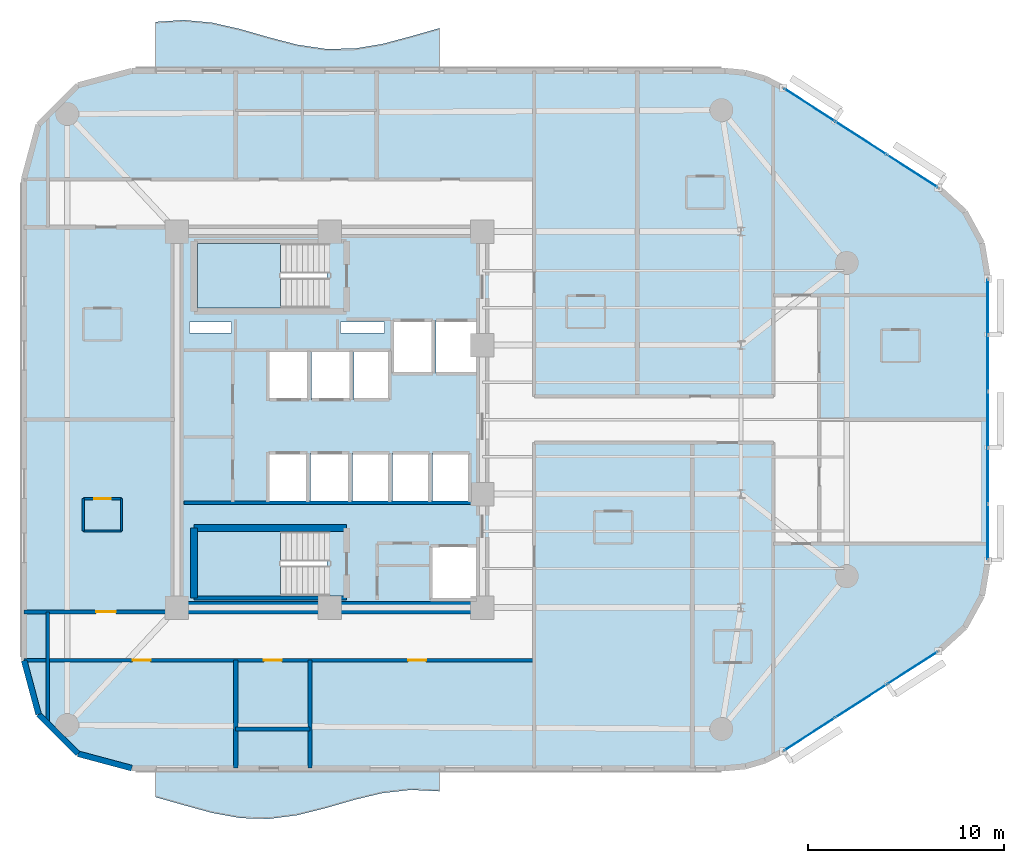
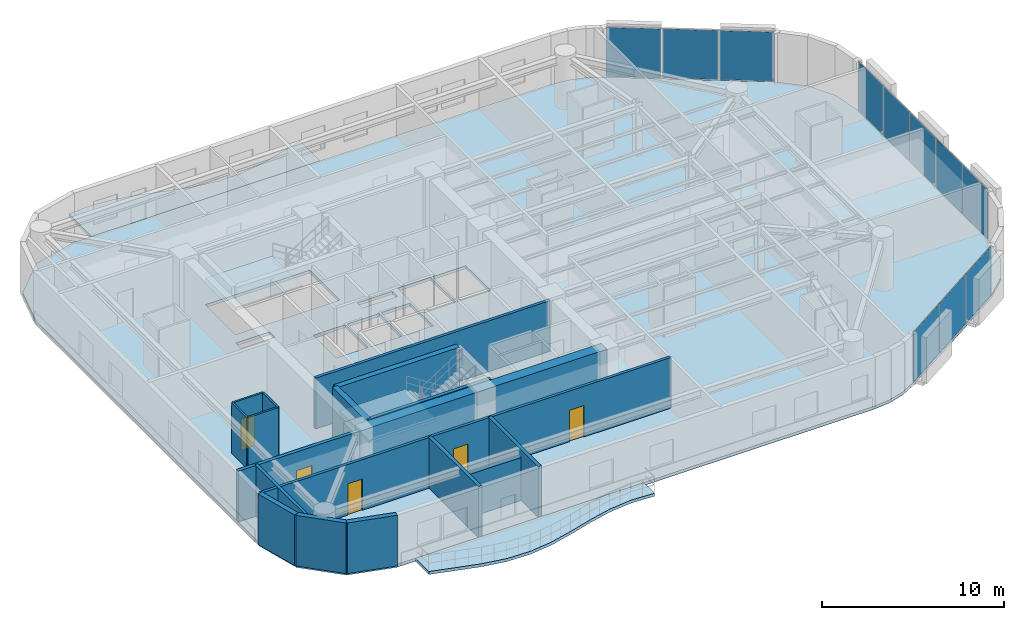
# One storey, part 9 of 15: 18 walls, 11 plates, 5 doors, 5 slabs, 5 openings, 5 elements without a shape of their own.
"""IFC4 building model written with IfcOpenShell, lengths in metres."""

from ifc_helpers import new_model, si_unit, direction, frame, frame_2d, origin, origin_2d, place, context, subcontext, project, spatial, polyline, rectangle, outline, extrude, material, layer, layer_set, type_object, element, fill, aggregate, save


model = new_model("IFC4")

# Units and contexts
model_context = context("Model", 3, precision=1e-05, world=origin(), true_north=direction((0.0, 1.0)))
body_context = subcontext(model_context, "Body", "Model", "MODEL_VIEW")
ifc_project = project(units=[si_unit("LENGTHUNIT", "METRE"), si_unit("AREAUNIT", "SQUARE_METRE"), si_unit("VOLUMEUNIT", "CUBIC_METRE"), si_unit("PLANEANGLEUNIT", "RADIAN"), si_unit("MASSUNIT", "GRAM", prefix="KILO")], contexts=[model_context])

# Site, building, storey
site_placement = place(None, origin())
site = spatial("IfcSite", under=ifc_project, at=site_placement, CompositionType="ELEMENT")
building_placement = place(site_placement, origin())
building = spatial("IfcBuilding", under=site, at=building_placement, Name="An Khanh Terracotta Commons", CompositionType="ELEMENT")
storey_placement = place(building_placement, frame((0.0, 0.0, 147.39990234375)))
storey = spatial("IfcBuildingStorey", under=building, at=storey_placement, Name="L38", CompositionType="ELEMENT", Elevation=147.39990234375)

# Curtain wall, plates
ifc_material_1 = material(Name="Anodised Aluminium 6063-T6", Category="aluminium")
ifc_layer_1 = layer(ifc_material_1, 0.2099609375, Name="Anodised Aluminium 6063-T6")
ifc_layer_set_1 = layer_set([ifc_layer_1], Name="Anodised Aluminium 6063-T6")
curtain_wall_type = type_object("IfcCurtainWallType", Name="CW-SYS-03", PredefinedType="USERDEFINED", material=ifc_layer_set_1)
curtain_wall_1_placement = place(storey_placement, origin())
curtain_wall_1 = element("IfcCurtainWall", 1, at=curtain_wall_1_placement, inside=storey, type_object=curtain_wall_type, Name="L38 CW-03 Unitised Curtain Wall CW-L38-08", ObjectType="UNITISED CURTAIN WALL", PredefinedType="USERDEFINED")
ifc_material_2 = material(Name="Acoustic Laminated Low-E Glazing", Category="glass")
ifc_layer_2 = layer(ifc_material_2, 0.035888671875, Name="Acoustic Laminated Low-E Glazing")
ifc_layer_set_2 = layer_set([ifc_layer_2], Name="Acoustic Laminated Low-E Glazing")
plate_type = type_object("IfcPlateType", Name="CWP-IGU-36", PredefinedType="CURTAIN_PANEL", material=ifc_layer_set_2)
plate_1_placement = place(storey_placement, frame((53.894287109375, 7.935546875, 0.05029296875), z_axis=(0.0, 0.0, 1.0), x_axis=(0.840702081986, 0.541497931062, 0.0)))
plate_1 = element("IfcPlate", 2, at=plate_1_placement, type_object=plate_type, Name="CW-03 panel 1.1", PredefinedType="CURTAIN_PANEL", context=body_context, shape_type="SweptSolid", body=[
    extrude(rectangle(XDim=3.034423828125, YDim=0.035888671875, at=origin_2d()), origin(), (0.0, 0.0, 1.0), 3.300048828125),
])
plate_2_placement = place(storey_placement, frame((56.51904296875, 9.6259765625, 0.05029296875), z_axis=(0.0, 0.0, 1.0), x_axis=(0.840702081986, 0.541497931062, 0.0)))
plate_2 = element("IfcPlate", 3, at=plate_2_placement, type_object=plate_type, Name="CW-03 panel 2.1", PredefinedType="CURTAIN_PANEL", context=body_context, shape_type="SweptSolid", body=[
    extrude(rectangle(XDim=3.0693359375, YDim=0.035888671875, at=origin_2d()), origin(), (0.0, 0.0, 1.0), 3.300048828125),
])
plate_3_placement = place(storey_placement, frame((59.1435546875, 11.31640625, 0.05029296875), z_axis=(0.0, 0.0, 1.0), x_axis=(0.840702081986, 0.541497931062, 0.0)))
plate_3 = element("IfcPlate", 4, at=plate_3_placement, type_object=plate_type, Name="CW-03 panel 3.1", PredefinedType="CURTAIN_PANEL", context=body_context, shape_type="SweptSolid", body=[
    extrude(rectangle(XDim=3.034423828125, YDim=0.035888671875, at=origin_2d()), origin(), (0.0, 0.0, 1.0), 3.300048828125),
])
aggregate(curtain_wall_1, [plate_1, plate_2, plate_3])

curtain_wall_2_placement = place(storey_placement, origin())
curtain_wall_2 = element("IfcCurtainWall", 5, at=curtain_wall_2_placement, inside=storey, type_object=curtain_wall_type, Name="L38 CW-03 Unitised Curtain Wall CW-L38-12", ObjectType="UNITISED CURTAIN WALL", PredefinedType="USERDEFINED")
plate_4_placement = place(storey_placement, frame((63.0, 18.257568359375, 0.05029296875), z_axis=(0.0, 0.0, 1.0), x_axis=(0.0, 1.0, 0.0)))
plate_4 = element("IfcPlate", 6, at=plate_4_placement, type_object=plate_type, Name="CW-03 panel 1.1", PredefinedType="CURTAIN_PANEL", context=body_context, shape_type="SweptSolid", body=[
    extrude(rectangle(XDim=2.77490234375, YDim=0.035888671875, at=origin_2d()), origin(), (0.0, 0.0, 1.0), 3.300048828125),
])
plate_5_placement = place(storey_placement, frame((63.0, 21.1201171875, 0.05029296875), z_axis=(0.0, 0.0, 1.0), x_axis=(0.0, 1.0, 0.0)))
plate_5 = element("IfcPlate", 7, at=plate_5_placement, type_object=plate_type, Name="CW-03 panel 2.1", PredefinedType="CURTAIN_PANEL", context=body_context, shape_type="SweptSolid", body=[
    extrude(rectangle(XDim=2.81005859375, YDim=0.035888671875, at=origin_2d()), origin(), (0.0, 0.0, 1.0), 3.300048828125),
])
plate_6_placement = place(storey_placement, frame((63.0, 24.0, 0.05029296875), z_axis=(0.0, 0.0, 1.0), x_axis=(0.0, 1.0, 0.0)))
plate_6 = element("IfcPlate", 8, at=plate_6_placement, type_object=plate_type, Name="CW-03 panel 3.1", PredefinedType="CURTAIN_PANEL", context=body_context, shape_type="SweptSolid", body=[
    extrude(rectangle(XDim=2.81005859375, YDim=0.035888671875, at=origin_2d()), origin(), (0.0, 0.0, 1.0), 3.300048828125),
])
plate_7_placement = place(storey_placement, frame((63.0, 26.8798828125, 0.05029296875), z_axis=(0.0, 0.0, 1.0), x_axis=(0.0, 1.0, 0.0)))
plate_7 = element("IfcPlate", 9, at=plate_7_placement, type_object=plate_type, Name="CW-03 panel 4.1", PredefinedType="CURTAIN_PANEL", context=body_context, shape_type="SweptSolid", body=[
    extrude(rectangle(XDim=2.81005859375, YDim=0.035888671875, at=origin_2d()), origin(), (0.0, 0.0, 1.0), 3.300048828125),
])
plate_8_placement = place(storey_placement, frame((63.0, 29.742431640625, 0.05029296875), z_axis=(0.0, 0.0, 1.0), x_axis=(0.0, 1.0, 0.0)))
plate_8 = element("IfcPlate", 10, at=plate_8_placement, type_object=plate_type, Name="CW-03 panel 5.1", PredefinedType="CURTAIN_PANEL", context=body_context, shape_type="SweptSolid", body=[
    extrude(rectangle(XDim=2.77490234375, YDim=0.035888671875, at=origin_2d()), origin(), (0.0, 0.0, 1.0), 3.300048828125),
])
aggregate(curtain_wall_2, [plate_4, plate_5, plate_6, plate_7, plate_8])

curtain_wall_3_placement = place(storey_placement, origin())
curtain_wall_3 = element("IfcCurtainWall", 11, at=curtain_wall_3_placement, inside=storey, type_object=curtain_wall_type, Name="L38 CW-03 Unitised Curtain Wall CW-L38-16", ObjectType="UNITISED CURTAIN WALL", PredefinedType="USERDEFINED")
plate_9_placement = place(storey_placement, frame((59.1435546875, 36.68359375, 0.05029296875), z_axis=(0.0, 0.0, 1.0), x_axis=(-0.840702081986, 0.541497931062, 0.0)))
plate_9 = element("IfcPlate", 12, at=plate_9_placement, type_object=plate_type, Name="CW-03 panel 1.1", PredefinedType="CURTAIN_PANEL", context=body_context, shape_type="SweptSolid", body=[
    extrude(rectangle(XDim=3.034423828125, YDim=0.035888671875, at=origin_2d()), origin(), (0.0, 0.0, 1.0), 3.300048828125),
])
plate_10_placement = place(storey_placement, frame((56.51904296875, 38.3740234375, 0.05029296875), z_axis=(0.0, 0.0, 1.0), x_axis=(-0.840702081986, 0.541497931062, 0.0)))
plate_10 = element("IfcPlate", 13, at=plate_10_placement, type_object=plate_type, Name="CW-03 panel 2.1", PredefinedType="CURTAIN_PANEL", context=body_context, shape_type="SweptSolid", body=[
    extrude(rectangle(XDim=3.0693359375, YDim=0.035888671875, at=origin_2d()), origin(), (0.0, 0.0, 1.0), 3.300048828125),
])
plate_11_placement = place(storey_placement, frame((53.894287109375, 40.064453125, 0.05029296875), z_axis=(0.0, 0.0, 1.0), x_axis=(-0.840702081986, 0.541497931062, 0.0)))
plate_11 = element("IfcPlate", 14, at=plate_11_placement, type_object=plate_type, Name="CW-03 panel 3.1", PredefinedType="CURTAIN_PANEL", context=body_context, shape_type="SweptSolid", body=[
    extrude(rectangle(XDim=3.034423828125, YDim=0.035888671875, at=origin_2d()), origin(), (0.0, 0.0, 1.0), 3.300048828125),
])
aggregate(curtain_wall_3, [plate_9, plate_10, plate_11])

# Slabs
ifc_material_3 = material(Name="Concrete C40/50", Category="concrete")
ifc_layer_3 = layer(ifc_material_3, 0.199951171875, Name="Concrete C40/50")
ifc_layer_set_3 = layer_set([ifc_layer_3], Name="Concrete C40/50")
slab_type_1 = type_object("IfcSlabType", Name="SLAB-BALC-200", PredefinedType="FLOOR", material=ifc_layer_set_3)
slab_1_placement = place(storey_placement, frame((0.0, 0.0, -0.199951171875)))
element("IfcSlab", 15, at=slab_1_placement, inside=storey, type_object=slab_type_1, Name="L38 S Sinusoidal Wave Balcony Slab", PredefinedType="FLOOR", context=body_context, shape_type="SweptSolid", body=[
    extrude(outline(polyline([(20.5, 6.199951171875), (20.5, 4.72509765625), (21.949951171875, 4.31591796875), (23.39990234375, 3.9169921875), (24.85009765625, 3.655029296875), (26.300048828125, 3.613037109375), (27.75, 3.802978515625), (29.199951171875, 4.1650390625), (30.64990234375, 4.5859375), (32.10009765625, 4.93310546875), (33.550048828125, 5.094970703125), (35.0, 5.02294921875), (35.0, 6.199951171875), (20.5, 6.199951171875)])), origin(), (0.0, 0.0, 1.0), 0.199951171875),
])
slab_2_placement = place(storey_placement, frame((0.0, 0.0, -0.199951171875)))
element("IfcSlab", 16, at=slab_2_placement, inside=storey, type_object=slab_type_1, Name="L38 N Sinusoidal Wave Balcony Slab", PredefinedType="FLOOR", context=body_context, shape_type="SweptSolid", body=[
    extrude(outline(polyline([(35.0, 41.800048828125), (35.0, 43.98193359375), (33.550048828125, 43.56689453125), (32.10009765625, 43.177978515625), (30.64990234375, 42.93798828125), (29.199951171875, 42.923095703125), (27.75, 43.136962890625), (26.300048828125, 43.512939453125), (24.85009765625, 43.931884765625), (23.39990234375, 44.261962890625), (21.949951171875, 44.39892578125), (20.5, 44.300048828125), (20.5, 41.800048828125), (35.0, 41.800048828125)])), origin(), (0.0, 0.0, 1.0), 0.199951171875),
])

# Stair, slab
ifc_material_4 = material(Name="Precast concrete C40/50", Category="concrete")
stair_type = type_object("IfcStairType", Name="STAIR-CORE-1550", PredefinedType="HALF_TURN_STAIR", material=ifc_material_4)
stair_1_placement = place(storey_placement, origin())
stair_1 = element("IfcStair", 17, at=stair_1_placement, inside=storey, type_object=stair_type, Name="L38 Core Smokeproof Exit Stair ST-01", PredefinedType="HALF_TURN_STAIR")
ifc_layer_4 = layer(ifc_material_3, 0.18994140625, Name="Concrete C40/50")
ifc_layer_set_4 = layer_set([ifc_layer_4], Name="Concrete C40/50")
slab_type_2 = type_object("IfcSlabType", Name="SLAB-LANDING-190", PredefinedType="LANDING", material=ifc_layer_set_4)
slab_3_placement = place(storey_placement, frame((0.0, 0.0, 1.60009765625)))
slab_3 = element("IfcSlab", 18, at=slab_3_placement, type_object=slab_type_2, Name="ST-01 landing 1", PredefinedType="LANDING", context=body_context, shape_type="SweptSolid", body=[
    extrude(outline(polyline([(26.889892578125, 33.0), (22.64990234375, 33.0), (22.64990234375, 29.699951171875), (26.889892578125, 29.699951171875), (26.889892578125, 33.0)])), origin(), (0.0, 0.0, 1.0), 0.199951171875),
])
aggregate(stair_1, [slab_3])

stair_2_placement = place(storey_placement, origin())
stair_2 = element("IfcStair", 19, at=stair_2_placement, inside=storey, type_object=stair_type, Name="L38 Core Smokeproof Exit Stair ST-02", PredefinedType="HALF_TURN_STAIR")
slab_4_placement = place(storey_placement, frame((0.0, 0.0, 1.60009765625)))
slab_4 = element("IfcSlab", 20, at=slab_4_placement, type_object=slab_type_2, Name="ST-02 landing 1", PredefinedType="LANDING", context=body_context, shape_type="SweptSolid", body=[
    extrude(outline(polyline([(26.889892578125, 18.300048828125), (22.64990234375, 18.300048828125), (22.64990234375, 15.0), (26.889892578125, 15.0), (26.889892578125, 18.300048828125)])), origin(), (0.0, 0.0, 1.0), 0.199951171875),
])
aggregate(stair_2, [slab_4])

# Slab
ifc_layer_5 = layer(ifc_material_3, 0.199951171875, Name="Concrete C40/50")
ifc_layer_set_5 = layer_set([ifc_layer_5], Name="Concrete C40/50")
slab_type_3 = type_object("IfcSlabType", Name="SLAB-TYP-200", PredefinedType="FLOOR", material=ifc_layer_set_5)
slab_5_placement = place(storey_placement, frame((0.0, 0.0, -0.199951171875)))
element("IfcSlab", 21, at=slab_5_placement, inside=storey, type_object=slab_type_3, Name="L38 Structural Floor Slab", PredefinedType="FLOOR", context=body_context, shape_type="SweptSolid", body=[
    extrude(outline(polyline([(13.800048828125, 11.699951171875), (14.537109375, 8.949951171875), (16.550048828125, 6.93701171875), (19.300048828125, 6.199951171875), (49.58203125, 6.199951171875), (50.625, 6.300048828125), (51.6298828125, 6.594970703125), (52.56005859375, 7.075927734375), (60.47802734375, 12.176025390625), (61.825927734375, 13.403076171875), (62.697998046875, 15.0029296875), (63.0, 16.800048828125), (63.0, 31.199951171875), (62.697998046875, 32.9970703125), (61.825927734375, 34.596923828125), (60.47802734375, 35.823974609375), (52.56005859375, 40.924072265625), (51.6298828125, 41.405029296875), (50.625, 41.699951171875), (49.58203125, 41.800048828125), (19.300048828125, 41.800048828125), (16.550048828125, 41.06298828125), (14.537109375, 39.050048828125), (13.800048828125, 36.300048828125), (13.800048828125, 11.699951171875)]), holes=[polyline([(22.64990234375, 29.699951171875), (29.27001953125, 29.699951171875), (29.27001953125, 33.0), (22.64990234375, 33.0), (22.64990234375, 29.699951171875)]), polyline([(22.64990234375, 15.0), (29.27001953125, 15.0), (29.27001953125, 18.300048828125), (22.64990234375, 18.300048828125), (22.64990234375, 15.0)]), polyline([(32.60009765625, 26.35009765625), (34.679931640625, 26.35009765625), (34.679931640625, 29.080078125), (32.60009765625, 29.080078125), (32.60009765625, 26.35009765625)]), polyline([(34.820068359375, 26.35009765625), (36.89990234375, 26.35009765625), (36.89990234375, 29.080078125), (34.820068359375, 29.080078125), (34.820068359375, 26.35009765625)]), polyline([(34.550048828125, 14.800048828125), (36.89990234375, 14.800048828125), (36.89990234375, 17.550048828125), (34.550048828125, 17.550048828125), (34.550048828125, 14.800048828125)]), polyline([(26.320068359375, 25.0), (28.340087890625, 25.0), (28.340087890625, 27.5), (26.320068359375, 27.5), (26.320068359375, 25.0)]), polyline([(28.47998046875, 25.0), (30.5, 25.0), (30.5, 27.5), (28.47998046875, 27.5), (28.47998046875, 25.0)]), polyline([(26.280029296875, 19.800048828125), (28.280029296875, 19.800048828125), (28.280029296875, 22.300048828125), (26.280029296875, 22.300048828125), (26.280029296875, 19.800048828125)]), polyline([(28.419921875, 19.800048828125), (30.419921875, 19.800048828125), (30.419921875, 22.300048828125), (28.419921875, 22.300048828125), (28.419921875, 19.800048828125)]), polyline([(30.639892578125, 25.0), (32.4599609375, 25.0), (32.4599609375, 27.5), (30.639892578125, 27.5), (30.639892578125, 25.0)]), polyline([(30.56005859375, 19.800048828125), (32.4599609375, 19.800048828125), (32.4599609375, 22.300048828125), (30.56005859375, 22.300048828125), (30.56005859375, 19.800048828125)]), polyline([(32.60009765625, 19.800048828125), (34.5, 19.800048828125), (34.5, 22.300048828125), (32.60009765625, 22.300048828125), (32.60009765625, 19.800048828125)]), polyline([(34.639892578125, 19.800048828125), (36.5400390625, 19.800048828125), (36.5400390625, 22.300048828125), (34.639892578125, 22.300048828125), (34.639892578125, 19.800048828125)]), polyline([(22.25, 28.419921875), (24.39990234375, 28.419921875), (24.39990234375, 28.97998046875), (22.25, 28.97998046875), (22.25, 28.419921875)]), polyline([(29.949951171875, 28.419921875), (32.199951171875, 28.419921875), (32.199951171875, 28.97998046875), (29.949951171875, 28.97998046875), (29.949951171875, 28.419921875)])]), origin(), (0.0, 0.0, 1.0), 0.199951171875),
])

# Walls
ifc_material_5 = material(Name="Concrete C60/75", Category="concrete")
ifc_layer_6 = layer(ifc_material_5, 0.64990234375, Name="Concrete C60/75")
ifc_layer_set_6 = layer_set([ifc_layer_6], Name="Concrete C60/75")
wall_type_1 = type_object("IfcWallType", Name="WALL-CORE-650", PredefinedType="SHEAR", material=ifc_layer_set_6)
wall_1_placement = place(storey_placement, frame((37.199951171875, 14.39990234375, 0.0), z_axis=(0.0, 0.0, 1.0), x_axis=(-1.0, 0.0, 0.0)))
element("IfcWall", 22, at=wall_1_placement, inside=storey, type_object=wall_type_1, Name="L38 Core Wall CWALL-L38-S", PredefinedType="SHEAR", context=body_context, shape_type="SweptSolid", body=[
    extrude(rectangle(XDim=15.599853515625, YDim=0.64990234375, at=frame_2d((7.7998046875, 0.0))), origin(), (0.0, 0.0, 1.0), 3.400146484375),
])
ifc_material_6 = material(Name="Fire-Rated Gypsum Board on Steel Stud", Category="steel")
ifc_layer_7 = layer(ifc_material_6, 0.179931640625, Name="Fire-Rated Gypsum Board on Steel Stud")
ifc_layer_set_7 = layer_set([ifc_layer_7], Name="Fire-Rated Gypsum Board on Steel Stud")
wall_type_2 = type_object("IfcWallType", Name="WALL-CORR-180", PredefinedType="PARTITIONING", material=ifc_layer_set_7)
wall_2_placement = place(storey_placement, frame((21.949951171875, 19.760009765625, 0.0), z_axis=(0.0, 0.0, 1.0), x_axis=(1.0, 0.0, 0.0)))
element("IfcWall", 23, at=wall_2_placement, inside=storey, type_object=wall_type_2, Name="L38 Core Wall SVW-L38-N", PredefinedType="PARTITIONING", context=body_context, shape_type="SweptSolid", body=[
    extrude(rectangle(XDim=14.8701171875, YDim=0.179931640625, at=frame_2d((7.43505859375, 0.0))), origin(), (0.0, 0.0, 1.0), 3.400146484375),
])

# Wall, openings, doors
wall_3_placement = place(storey_placement, frame((13.800048828125, 11.719970703125, 0.0), z_axis=(0.0, 0.0, 1.0), x_axis=(1.0, 0.0, 0.0)))
wall_3 = element("IfcWall", 24, at=wall_3_placement, inside=storey, type_object=wall_type_2, Name="L38 Interior Partition IW-L38-E002", PredefinedType="PARTITIONING", context=body_context, shape_type="SweptSolid", body=[
    extrude(rectangle(XDim=26.050048828125, YDim=0.179931640625, at=frame_2d((13.02490234375, 0.0))), origin(), (0.0, 0.0, 1.0), 3.400146484375),
])
opening_1_placement = place(wall_3_placement, frame((12.239990234375, 0.0, 0.0)))
opening_1 = element("IfcOpeningElement", 25, at=opening_1_placement, cuts=wall_3, Name="Opening D-RM", PredefinedType="OPENING", context=body_context, shape_type="SweptSolid", body=[
    extrude(rectangle(XDim=0.919921875, YDim=2.10009765625, at=frame_2d((0.4599609375, 1.050048828125))), frame((0.0, 0.099853515625, 0.0), z_axis=(0.0, -1.0, 0.0), x_axis=(1.0, 0.0, 0.0)), (0.0, 0.0, 1.0), 0.199951171875),
])
opening_2_placement = place(wall_3_placement, frame((5.5400390625, 0.0, 0.0)))
opening_2 = element("IfcOpeningElement", 26, at=opening_2_placement, cuts=wall_3, Name="Opening D-RM", PredefinedType="OPENING", context=body_context, shape_type="SweptSolid", body=[
    extrude(rectangle(XDim=0.919921875, YDim=2.10009765625, at=frame_2d((0.4599609375, 1.050048828125))), frame((0.0, 0.099853515625, 0.0), z_axis=(0.0, -1.0, 0.0), x_axis=(1.0, 0.0, 0.0)), (0.0, 0.0, 1.0), 0.199951171875),
])
opening_3_placement = place(wall_3_placement, frame((19.60498046875, 0.0, 0.0)))
opening_3 = element("IfcOpeningElement", 27, at=opening_3_placement, cuts=wall_3, Name="Opening D-RM", PredefinedType="OPENING", context=body_context, shape_type="SweptSolid", body=[
    extrude(rectangle(XDim=0.919921875, YDim=2.10009765625, at=frame_2d((0.4599609375, 1.050048828125))), frame((0.0, 0.099853515625, 0.0), z_axis=(0.0, -1.0, 0.0), x_axis=(1.0, 0.0, 0.0)), (0.0, 0.0, 1.0), 0.199951171875),
])
ifc_material_7 = material(Name="Engineered Hardwood Timber Leaf", Category="wood")
door_type_1 = type_object("IfcDoorType", Name="DOOR-INT-920", OperationType="NOTDEFINED", PredefinedType="DOOR", material=ifc_material_7)
door_1_placement = place(opening_1_placement, origin())
door_1 = element("IfcDoor", 28, at=door_1_placement, inside=storey, type_object=door_type_1, Name="L38 HKP Housekeeping Linen Store Door", OperationType="SINGLE_SWING_RIGHT", OverallHeight=2.10009765625, OverallWidth=0.919921875, PredefinedType="DOOR", context=body_context, shape_type="SweptSolid", body=[
    extrude(rectangle(XDim=0.919921875, YDim=2.10009765625, at=frame_2d((0.4599609375, 1.050048828125))), frame((0.0, 0.02490234375, 0.0), z_axis=(0.0, -1.0, 0.0), x_axis=(1.0, 0.0, 0.0)), (0.0, 0.0, 1.0), 0.050048828125),
])
fill(opening_1, door_1)
door_2_placement = place(opening_2_placement, origin())
door_2 = element("IfcDoor", 29, at=door_2_placement, inside=storey, type_object=door_type_1, Name="L38 SW1 Co-Living Master Bedroom Door", OperationType="SINGLE_SWING_LEFT", OverallHeight=2.10009765625, OverallWidth=0.919921875, PredefinedType="DOOR", context=body_context, shape_type="SweptSolid", body=[
    extrude(rectangle(XDim=0.919921875, YDim=2.10009765625, at=frame_2d((0.4599609375, 1.050048828125))), frame((0.0, 0.02490234375, 0.0), z_axis=(0.0, -1.0, 0.0), x_axis=(1.0, 0.0, 0.0)), (0.0, 0.0, 1.0), 0.050048828125),
])
fill(opening_2, door_2)
door_3_placement = place(opening_3_placement, origin())
door_3 = element("IfcDoor", 30, at=door_3_placement, inside=storey, type_object=door_type_1, Name="L38 SWE Communal Kitchen and Dining Door", OperationType="SINGLE_SWING_RIGHT", OverallHeight=2.10009765625, OverallWidth=0.919921875, PredefinedType="DOOR", context=body_context, shape_type="SweptSolid", body=[
    extrude(rectangle(XDim=0.919921875, YDim=2.10009765625, at=frame_2d((0.4599609375, 1.050048828125))), frame((0.0, 0.02490234375, 0.0), z_axis=(0.0, -1.0, 0.0), x_axis=(1.0, 0.0, 0.0)), (0.0, 0.0, 1.0), 0.050048828125),
])
fill(opening_3, door_3)

# Walls
wall_4_placement = place(storey_placement, frame((15.0, 8.487060546875, 0.0), z_axis=(0.0, 0.0, 1.0), x_axis=(0.0, 1.0, 0.0)))
element("IfcWall", 31, at=wall_4_placement, inside=storey, type_object=wall_type_2, Name="L38 Interior Partition IW-L38-E013", PredefinedType="PARTITIONING", context=body_context, shape_type="SweptSolid", body=[
    extrude(rectangle(XDim=5.69287109375, YDim=0.179931640625, at=frame_2d((2.846435546875, 0.0))), origin(), (0.0, 0.0, 1.0), 3.400146484375),
])
ifc_layer_8 = layer(ifc_material_4, 0.300048828125, Name="Precast concrete C40/50")
ifc_layer_set_8 = layer_set([ifc_layer_8], Name="Precast concrete C40/50")
wall_type_3 = type_object("IfcWallType", Name="WALL-EXT-300", PredefinedType="SOLIDWALL", material=ifc_layer_set_8)
wall_5_placement = place(storey_placement, frame((13.800048828125, 11.699951171875, 0.0), z_axis=(0.0, 0.0, 1.0), x_axis=(0.258884674387, -0.965908238586, 0.0)))
element("IfcWall", 32, at=wall_5_placement, inside=storey, type_object=wall_type_3, Name="L38 Insulated Terracotta Exterior Wall 1", PredefinedType="SOLIDWALL", context=body_context, shape_type="SweptSolid", body=[
    extrude(rectangle(XDim=2.84716796875, YDim=0.300048828125, at=frame_2d((1.423583984375, 0.0))), origin(), (0.0, 0.0, 1.0), 3.400146484375),
])
wall_6_placement = place(storey_placement, frame((14.537109375, 8.949951171875, 0.0), z_axis=(0.0, 0.0, 1.0), x_axis=(0.707106781187, -0.707106781187, 0.0)))
element("IfcWall", 33, at=wall_6_placement, inside=storey, type_object=wall_type_3, Name="L38 Insulated Terracotta Exterior Wall 2", PredefinedType="SOLIDWALL", context=body_context, shape_type="SweptSolid", body=[
    extrude(rectangle(XDim=2.8466796875, YDim=0.300048828125, at=frame_2d((1.42333984375, 0.0))), origin(), (0.0, 0.0, 1.0), 3.400146484375),
])
wall_7_placement = place(storey_placement, frame((16.550048828125, 6.93701171875, 0.0), z_axis=(0.0, 0.0, 1.0), x_axis=(0.965908238586, -0.258884674387, 0.0)))
element("IfcWall", 34, at=wall_7_placement, inside=storey, type_object=wall_type_3, Name="L38 Insulated Terracotta Exterior Wall 3", PredefinedType="SOLIDWALL", context=body_context, shape_type="SweptSolid", body=[
    extrude(rectangle(XDim=2.84716796875, YDim=0.300048828125, at=frame_2d((1.423583984375, 0.0))), origin(), (0.0, 0.0, 1.0), 3.400146484375),
])
ifc_material_8 = material(Name="Acoustic Double-Stud Gypsum and Mineral Wool")
ifc_layer_9 = layer(ifc_material_8, 0.219970703125, Name="Acoustic Double-Stud Gypsum and Mineral Wool")
ifc_layer_set_9 = layer_set([ifc_layer_9], Name="Acoustic Double-Stud Gypsum and Mineral Wool")
wall_type_4 = type_object("IfcWallType", Name="WALL-PARTY-220", PredefinedType="PARTITIONING", material=ifc_layer_set_9)
wall_8_placement = place(storey_placement, frame((22.47998046875, 14.889892578125, 0.0), z_axis=(0.0, 0.0, 1.0), x_axis=(1.0, 0.0, 0.0)))
element("IfcWall", 35, at=wall_8_placement, inside=storey, type_object=wall_type_4, Name="L38 Core Wall STW-L38-S-S", PredefinedType="PARTITIONING", context=body_context, shape_type="SweptSolid", body=[
    extrude(rectangle(XDim=7.7900390625, YDim=0.219970703125, at=frame_2d((3.89501953125, 0.0))), origin(), (0.0, 0.0, 1.0), 3.400146484375),
])
wall_9_placement = place(storey_placement, frame((24.60009765625, 8.199951171875, 0.0), z_axis=(0.0, 0.0, 1.0), x_axis=(1.0, 0.0, 0.0)))
element("IfcWall", 36, at=wall_9_placement, inside=storey, type_object=wall_type_4, Name="L38 Interior Partition IW-L38-E001", PredefinedType="PARTITIONING", context=body_context, shape_type="SweptSolid", body=[
    extrude(rectangle(XDim=3.7998046875, YDim=0.219970703125, at=frame_2d((1.89990234375, 0.0))), origin(), (0.0, 0.0, 1.0), 2.882080078125),
])

# Wall, opening, door
wall_10_placement = place(storey_placement, frame((13.800048828125, 14.179931640625, 0.0), z_axis=(0.0, 0.0, 1.0), x_axis=(1.0, 0.0, 0.0)))
wall_10 = element("IfcWall", 37, at=wall_10_placement, inside=storey, type_object=wall_type_4, Name="L38 Interior Partition IW-L38-E003", PredefinedType="PARTITIONING", context=body_context, shape_type="SweptSolid", body=[
    extrude(rectangle(XDim=7.679931640625, YDim=0.219970703125, at=frame_2d((3.83984375, 0.0))), origin(), (0.0, 0.0, 1.0), 3.400146484375),
])
opening_4_placement = place(wall_10_placement, frame((3.679931640625, 0.0, 0.0)))
opening_4 = element("IfcOpeningElement", 38, at=opening_4_placement, cuts=wall_10, Name="Opening D-UN", PredefinedType="OPENING", context=body_context, shape_type="SweptSolid", body=[
    extrude(rectangle(XDim=1.0, YDim=2.14990234375, at=frame_2d((0.5, 1.074951171875))), frame((0.0, 0.119873046875, 0.0), z_axis=(0.0, -1.0, 0.0), x_axis=(1.0, 0.0, 0.0)), (0.0, 0.0, 1.0), 0.239990234375),
])
ifc_material_9 = material(Name="Solid-Core Hardwood Acoustic Fire Door", Category="wood")
door_type_2 = type_object("IfcDoorType", Name="DOOR-UNIT-1000", OperationType="NOTDEFINED", PredefinedType="DOOR", material=ifc_material_9)
door_4_placement = place(opening_4_placement, origin())
door_4 = element("IfcDoor", 39, at=door_4_placement, inside=storey, type_object=door_type_2, Name="L38 WW1 Kitchenette and Studio Apartment Door", OperationType="SINGLE_SWING_LEFT", OverallHeight=2.14990234375, OverallWidth=1.0, PredefinedType="DOOR", context=body_context, shape_type="SweptSolid", body=[
    extrude(rectangle(XDim=1.0, YDim=2.14990234375, at=frame_2d((0.5, 1.074951171875))), frame((0.0, 0.02490234375, 0.0), z_axis=(0.0, -1.0, 0.0), x_axis=(1.0, 0.0, 0.0)), (0.0, 0.0, 1.0), 0.050048828125),
])
fill(opening_4, door_4)

# Walls
for number, where, z_axis, x_axis, name in (
    (40, (24.60009765625, 6.199951171875, 0.0), (0.0, 0.0, 1.0), (0.0, 1.0, 0.0), "L38 Interior Partition IW-L38-E015"),
    (41, (28.39990234375, 6.199951171875, 0.0), (0.0, 0.0, 1.0), (0.0, 1.0, 0.0), "L38 Interior Partition IW-L38-E018"),
):
    element("IfcWall", number, at=place(storey_placement, frame(where, z_axis=z_axis, x_axis=x_axis)), inside=storey, type_object=wall_type_4, Name=name, PredefinedType="PARTITIONING", context=body_context, shape_type="SweptSolid", body=[
        extrude(rectangle(XDim=5.52001953125, YDim=0.219970703125, at=frame_2d((2.760009765625, 0.0))), origin(), (0.0, 0.0, 1.0), 3.400146484375),
    ])
ifc_material_10 = material(Name="Concrete C50/60", Category="concrete")
ifc_layer_10 = layer(ifc_material_10, 0.35009765625, Name="Concrete C50/60")
ifc_layer_set_10 = layer_set([ifc_layer_10], Name="Concrete C50/60")
wall_type_5 = type_object("IfcWallType", Name="WALL-SHAFT-350", PredefinedType="SOLIDWALL", material=ifc_layer_set_10)
wall_11_placement = place(storey_placement, frame((22.47998046875, 18.469970703125, 0.0), z_axis=(0.0, 0.0, 1.0), x_axis=(1.0, 0.0, 0.0)))
element("IfcWall", 42, at=wall_11_placement, inside=storey, type_object=wall_type_5, Name="L38 Core Wall STW-L38-S-N", PredefinedType="SOLIDWALL", context=body_context, shape_type="SweptSolid", body=[
    extrude(rectangle(XDim=7.7900390625, YDim=0.35009765625, at=frame_2d((3.89501953125, 0.0))), origin(), (0.0, 0.0, 1.0), 3.400146484375),
])
wall_12_placement = place(storey_placement, frame((22.47998046875, 14.889892578125, 0.0), z_axis=(0.0, 0.0, 1.0), x_axis=(0.0, 1.0, 0.0)))
element("IfcWall", 43, at=wall_12_placement, inside=storey, type_object=wall_type_5, Name="L38 Core Wall STW-L38-S-W", PredefinedType="SOLIDWALL", context=body_context, shape_type="SweptSolid", body=[
    extrude(rectangle(XDim=3.580078125, YDim=0.35009765625, at=frame_2d((1.7900390625, 0.0))), origin(), (0.0, 0.0, 1.0), 3.400146484375),
])

# Wall, opening, door
ifc_material_11 = material(Name="Moisture-Resistant Cement Board Partition")
ifc_layer_11 = layer(ifc_material_11, 0.1201171875, Name="Moisture-Resistant Cement Board Partition")
ifc_layer_set_11 = layer_set([ifc_layer_11], Name="Moisture-Resistant Cement Board Partition")
wall_type_6 = type_object("IfcWallType", Name="WALL-WET-120", PredefinedType="PARTITIONING", material=ifc_layer_set_11)
wall_13_placement = place(storey_placement, frame((16.824951171875, 19.965087890625, 0.0), z_axis=(0.0, 0.0, 1.0), x_axis=(1.0, 0.0, 0.0)))
wall_13 = element("IfcWall", 44, at=wall_13_placement, inside=storey, type_object=wall_type_6, Name="L38 Interior Partition IW-L38-WW1-BN", PredefinedType="PARTITIONING", context=body_context, shape_type="SweptSolid", body=[
    extrude(rectangle(XDim=1.949951171875, YDim=0.1201171875, at=frame_2d((0.97509765625, 0.0))), origin(), (0.0, 0.0, 1.0), 3.400146484375),
])
opening_5_placement = place(wall_13_placement, frame((0.544921875, 0.0, 0.0)))
opening_5 = element("IfcOpeningElement", 45, at=opening_5_placement, cuts=wall_13, Name="Opening D-ENS", PredefinedType="OPENING", context=body_context, shape_type="SweptSolid", body=[
    extrude(rectangle(XDim=0.860107421875, YDim=2.10009765625, at=frame_2d((0.43017578125, 1.050048828125))), frame((0.0, 0.070068359375, 0.0), z_axis=(0.0, -1.0, 0.0), x_axis=(1.0, 0.0, 0.0)), (0.0, 0.0, 1.0), 0.14013671875),
])
ifc_material_12 = material(Name="Moisture-Resistant Hardwood Timber Leaf", Category="wood")
door_type_3 = type_object("IfcDoorType", Name="DOOR-BATH-860", OperationType="NOTDEFINED", PredefinedType="DOOR", material=ifc_material_12)
door_5_placement = place(opening_5_placement, origin())
door_5 = element("IfcDoor", 46, at=door_5_placement, inside=storey, type_object=door_type_3, Name="L38 Studio WW1 En-suite Door", OperationType="SINGLE_SWING_RIGHT", OverallHeight=2.10009765625, OverallWidth=0.860107421875, PredefinedType="DOOR", context=body_context, shape_type="SweptSolid", body=[
    extrude(rectangle(XDim=0.860107421875, YDim=2.10009765625, at=frame_2d((0.43017578125, 1.050048828125))), frame((0.0, 0.02490234375, 0.0), z_axis=(0.0, -1.0, 0.0), x_axis=(1.0, 0.0, 0.0)), (0.0, 0.0, 1.0), 0.050048828125),
])
fill(opening_5, door_5)

# Walls
wall_14_placement = place(storey_placement, frame((18.77490234375, 18.31494140625, 0.0), z_axis=(0.0, 0.0, 1.0), x_axis=(-1.0, 0.0, 0.0)))
element("IfcWall", 47, at=wall_14_placement, inside=storey, type_object=wall_type_6, Name="L38 Interior Partition IW-L38-WW1-BS", PredefinedType="PARTITIONING", context=body_context, shape_type="SweptSolid", body=[
    extrude(rectangle(XDim=1.949951171875, YDim=0.1201171875, at=frame_2d((0.97509765625, 0.0))), origin(), (0.0, 0.0, 1.0), 3.400146484375),
])
for number, where, z_axis, x_axis, name in (
    (48, (16.824951171875, 19.965087890625, 0.0), (0.0, 0.0, 1.0), (0.0, -1.0, 0.0), "L38 Interior Partition IW-L38-WW1-BW"),
    (49, (18.77490234375, 18.31494140625, 0.0), (0.0, 0.0, 1.0), (0.0, 1.0, 0.0), "L38 Interior Partition IW-L38-WW1-BE"),
):
    element("IfcWall", number, at=place(storey_placement, frame(where, z_axis=z_axis, x_axis=x_axis)), inside=storey, type_object=wall_type_6, Name=name, PredefinedType="PARTITIONING", context=body_context, shape_type="SweptSolid", body=[
        extrude(rectangle(XDim=1.650146484375, YDim=0.1201171875, at=frame_2d((0.8251953125, 0.0))), origin(), (0.0, 0.0, 1.0), 3.400146484375),
    ])

save(model, "model.ifc")
